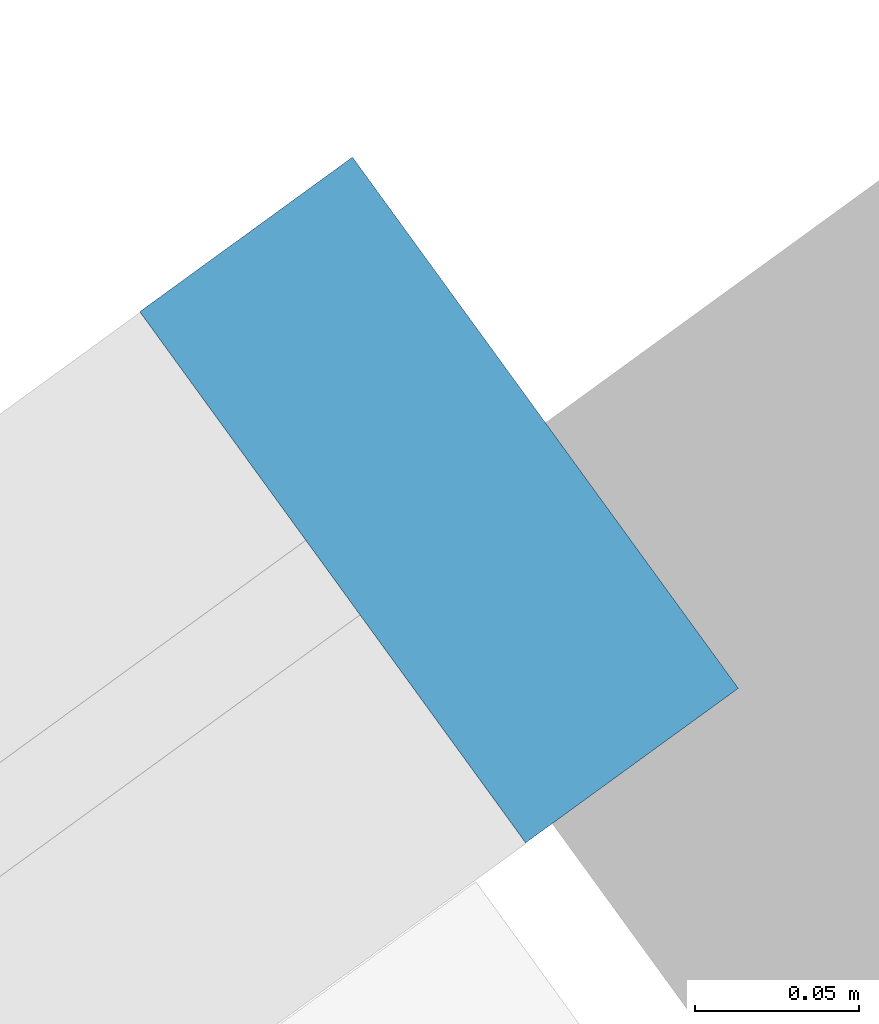
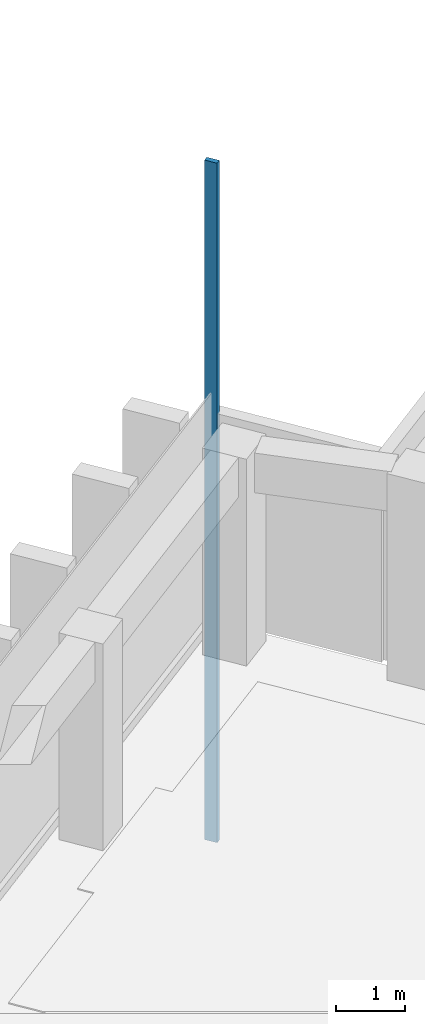
# One storey, part 5 of 14: 1 member, 1 element without a shape of its own.
"""IFC4 building model written with IfcOpenShell, lengths in metres."""

from ifc_helpers import new_model, si_unit, direction, frame, origin, origin_2d, place, context, subcontext, project, spatial, rectangle, extrude, material, material_profile, profile_set, type_object, element, aggregate, save


model = new_model("IFC4")

# Units and contexts
model_context = context("Model", 3, precision=1e-05, world=origin(), true_north=direction((0.0, 1.0)))
body_context = subcontext(model_context, "Body", "Model", "MODEL_VIEW")
ifc_project = project(units=[si_unit("LENGTHUNIT", "METRE"), si_unit("AREAUNIT", "SQUARE_METRE"), si_unit("VOLUMEUNIT", "CUBIC_METRE"), si_unit("PLANEANGLEUNIT", "RADIAN"), si_unit("MASSUNIT", "GRAM", prefix="KILO")], contexts=[model_context])

# Site, building, storey
site_placement = place(None, origin())
site = spatial("IfcSite", under=ifc_project, at=site_placement, CompositionType="ELEMENT")
building_placement = place(site_placement, origin())
building = spatial("IfcBuilding", under=site, at=building_placement, Name="Quipu Civic Tower", CompositionType="ELEMENT")
storey_placement = place(building_placement, frame((0.0, 0.0, 323.0)))
storey = spatial("IfcBuildingStorey", under=building, at=storey_placement, Name="L75", CompositionType="ELEMENT", Elevation=323.0)

# Curtain wall, member
ifc_material_1 = material(Name="Insulated glass unit", Category="glass")
curtain_wall_type = type_object("IfcCurtainWallType", Name="Office curtain wall CW1", PredefinedType="NOTDEFINED", material=ifc_material_1)
curtain_wall_placement = place(storey_placement, origin())
curtain_wall = element("IfcCurtainWall", 1, at=curtain_wall_placement, inside=storey, type_object=curtain_wall_type, Name="Office curtain wall CW1 L74 run 13", PredefinedType="NOTDEFINED")
ifc_material_2 = material(Name="Anodised aluminium", Category="aluminium")
ifc_material_profile = material_profile(ifc_material_2, rectangle(XDim=0.199951171875, YDim=0.080078125, at=origin_2d()), Name="RECT 200x80")
ifc_profile_set = profile_set([ifc_material_profile], Name="Anodised aluminium")
member_type = type_object("IfcMemberType", Name="Mullion CW1", PredefinedType="MULLION", material=ifc_profile_set)
member_placement = place(storey_placement, frame((-28.4111328125, 21.206298828125, -3.919921875), z_axis=(0.0, 0.0, 1.0), x_axis=(0.587787753918, -0.809015176832, 0.0)))
member = element("IfcMember", 2, at=member_placement, type_object=member_type, Name="CW1 mullion 1", PredefinedType="MULLION", context=body_context, shape_type="SweptSolid", body=[
    extrude(rectangle(XDim=0.199951171875, YDim=0.080078125, at=origin_2d()), origin(), (0.0, 0.0, 1.0), 12.0),
])
aggregate(curtain_wall, [member])

save(model, "model.ifc")
